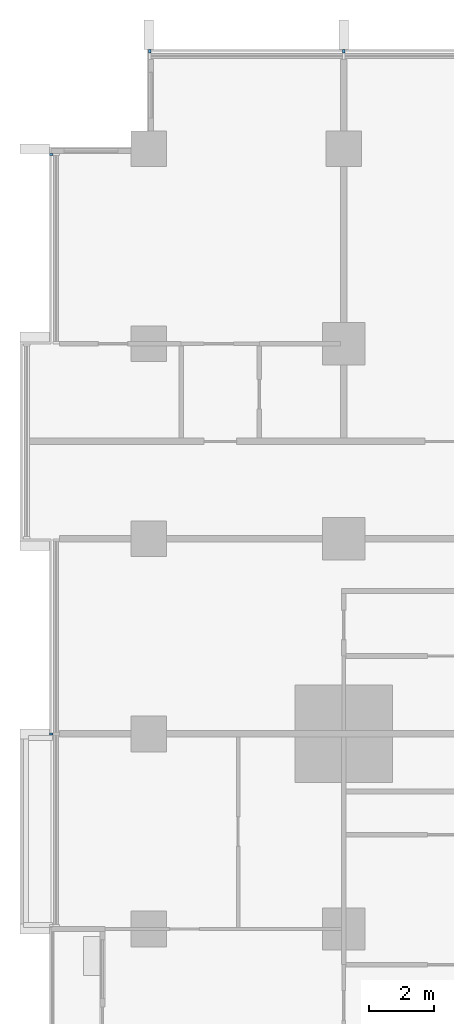
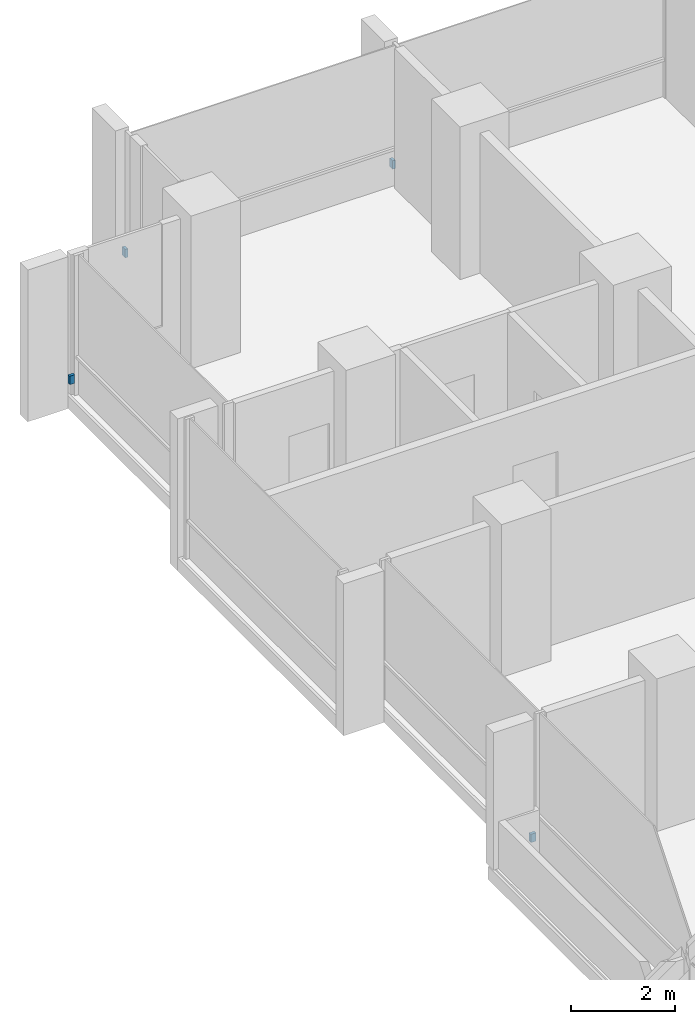
# One storey, part 16 of 18: 4 discrete accessories.
"""IFC4 building model written with IfcOpenShell, lengths in metres."""

from ifc_helpers import new_model, si_unit, direction, frame, origin, origin_2d, place, context, subcontext, project, spatial, rectangle, extrude, material, type_object, element, save


model = new_model("IFC4")

# Units and contexts
model_context = context("Model", 3, precision=1e-05, world=origin(), true_north=direction((0.0, 1.0)))
body_context = subcontext(model_context, "Body", "Model", "MODEL_VIEW")
ifc_project = project(units=[si_unit("LENGTHUNIT", "METRE"), si_unit("AREAUNIT", "SQUARE_METRE"), si_unit("VOLUMEUNIT", "CUBIC_METRE"), si_unit("PLANEANGLEUNIT", "RADIAN"), si_unit("MASSUNIT", "GRAM", prefix="KILO")], contexts=[model_context])

# Site, building, storey
site_placement = place(None, origin())
site = spatial("IfcSite", under=ifc_project, at=site_placement, CompositionType="ELEMENT")
building_placement = place(site_placement, origin())
building = spatial("IfcBuilding", under=site, at=building_placement, Name="Finial Court Residences", CompositionType="ELEMENT")
storey_placement = place(building_placement, frame((0.0, 0.0, 36.10009765625)))
storey = spatial("IfcBuildingStorey", under=building, at=storey_placement, Name="L07", CompositionType="ELEMENT", Elevation=36.10009765625)

# Discrete accessories
ifc_material = material(Name="Stainless steel 316", Category="steel")
discrete_accessory_type = type_object("IfcDiscreteAccessoryType", Name="Fin bracket, stainless steel 65 x 110 x 200", PredefinedType="BRACKET", material=ifc_material)
for number, where, z_axis, x_axis, name in (
    (1, (-22.467529296875, 28.5048828125, 0.2998046875), (0.0, 0.0, 1.0), (1.0, 0.0, 0.0), "E-L07-FIN-N1-BRK"),
    (2, (-16.5, 28.5048828125, 0.2998046875), (0.0, 0.0, 1.0), (1.0, 0.0, 0.0), "E-L07-FIN-N2-BRK"),
):
    element("IfcDiscreteAccessory", number, at=place(storey_placement, frame(where, z_axis=z_axis, x_axis=x_axis)), inside=storey, type_object=discrete_accessory_type, Name=name, PredefinedType="BRACKET", context=body_context, shape_type="SweptSolid", body=[
        extrude(rectangle(XDim=0.06494140625, YDim=0.110107421875, at=origin_2d()), origin(), (0.0, 0.0, 1.0), 0.199951171875),
    ])
for number, where, z_axis, x_axis, name in (
    (3, (-25.5048828125, 7.5, 0.2998046875), (0.0, 0.0, 1.0), (1.0, 0.0, 0.0), "E-L07-FIN-W31-BRK"),
    (4, (-25.5048828125, 25.3173828125, 0.2998046875), (0.0, 0.0, 1.0), (1.0, 0.0, 0.0), "E-L07-FIN-W34-BRK"),
):
    element("IfcDiscreteAccessory", number, at=place(storey_placement, frame(where, z_axis=z_axis, x_axis=x_axis)), inside=storey, type_object=discrete_accessory_type, Name=name, PredefinedType="BRACKET", context=body_context, shape_type="SweptSolid", body=[
        extrude(rectangle(XDim=0.110107421875, YDim=0.06494140625, at=origin_2d()), origin(), (0.0, 0.0, 1.0), 0.199951171875),
    ])

save(model, "model.ifc")
